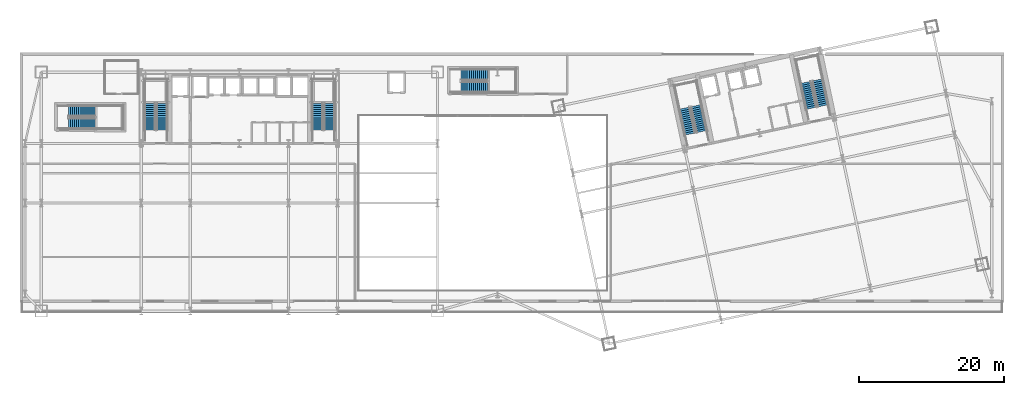
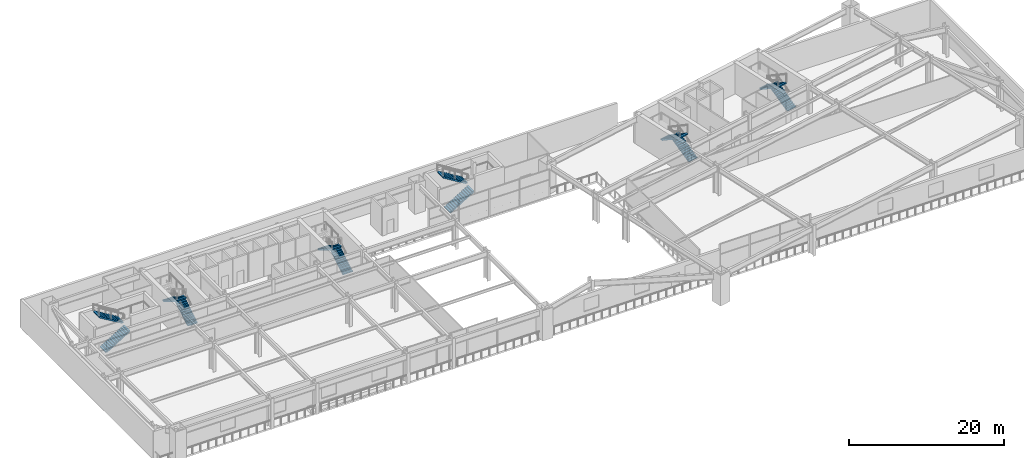
# One storey, part 23 of 35: 12 stair flights, 6 elements without a shape of their own.
"""IFC4 building model written with IfcOpenShell, lengths in metres."""

import ifcopenshell
import ifcopenshell.guid

model = None  # the IFC model being written
_history = None  # IfcOwnerHistory: only IFC2X3 demands one
_inside = {}  # id of a spatial element -> (the spatial element, [elements in it])
_under = {}  # id of a project, library or spatial element -> (it, [spatial elements below it])
_declared = {}  # id of a project -> (the project, [libraries it declares])
_typed = {}  # id of a type object -> (the type object, [elements of that type])
_made_of = {}  # id of a material, layer set ... -> (it, [elements and type objects made of it])


def new_model(schema):
    """Start an empty IFC model of exactly this schema.

    Asked for "IFC4X3", IfcOpenShell would pick the latest addendum, in which some entities
    have other attributes; the version numbers below select the first issue.
    IFC2X3 requires an IfcOwnerHistory on every rooted entity: one is made here for all.
    """
    global model, _history
    if schema == "IFC4X3":
        model = ifcopenshell.file(schema_version=(4, 3, 0, 0))
    else:
        model = ifcopenshell.file(schema=schema)
    _inside.clear()
    _under.clear()
    _declared.clear()
    _typed.clear()
    _made_of.clear()
    _history = None
    if model.schema == "IFC2X3":
        org = make("IfcOrganization", Name="unknown")
        user = make(
            "IfcPersonAndOrganization",
            ThePerson=make("IfcPerson", FamilyName="unknown"),
            TheOrganization=org,
        )
        app = make(
            "IfcApplication",
            ApplicationDeveloper=org,
            Version="unknown",
            ApplicationFullName="unknown",
            ApplicationIdentifier="unknown",
        )
        _history = make(
            "IfcOwnerHistory",
            OwningUser=user,
            OwningApplication=app,
            ChangeAction="ADDED",
            CreationDate=0,
        )
    return model


def make(cls, **values):
    """One entity of the class cls with the attributes given. An attribute that is None is left unset."""
    return model.create_entity(
        cls, **{name: value for name, value in values.items() if value is not None}
    )


def rooted(cls, **values):
    """An entity with a GlobalId (a new one), such as an element, a storey or a relation."""
    return make(cls, GlobalId=ifcopenshell.guid.new(), OwnerHistory=_history, **values)


def si_unit(unit_type, name, prefix=None):
    """IfcSIUnit, for example si_unit("LENGTHUNIT", "METRE", prefix="MILLI")."""
    return make("IfcSIUnit", UnitType=unit_type, Prefix=prefix, Name=name)


def assignment(units):
    """IfcUnitAssignment: the units of a project."""
    return None if units is None else make("IfcUnitAssignment", Units=units)


def point(xyz):
    """IfcCartesianPoint."""
    return None if xyz is None else make("IfcCartesianPoint", Coordinates=xyz)


def direction(xyz):
    """IfcDirection."""
    return None if xyz is None else make("IfcDirection", DirectionRatios=xyz)


def frame(location, z_axis=None, x_axis=None):
    """IfcAxis2Placement3D, a coordinate frame: its origin and axes. An axis left out is left unset."""
    return make(
        "IfcAxis2Placement3D",
        Location=point(location),
        Axis=direction(z_axis),
        RefDirection=direction(x_axis),
    )


def origin():
    """The frame at (0, 0, 0) with its axes left unset."""
    return frame((0.0, 0.0, 0.0))


def place(relative_to, where):
    """IfcLocalPlacement: puts the frame where relative to a parent placement (None: the world)."""
    return make(
        "IfcLocalPlacement", PlacementRelTo=relative_to, RelativePlacement=where
    )


def context(
    kind, dimensions, precision=None, world=None, true_north=None, identifier=None
):
    """IfcGeometricRepresentationContext, for example the 3D "Model" context."""
    return make(
        "IfcGeometricRepresentationContext",
        ContextIdentifier=identifier,
        ContextType=kind,
        CoordinateSpaceDimension=dimensions,
        Precision=precision,
        WorldCoordinateSystem=world,
        TrueNorth=true_north,
    )


def subcontext(parent, identifier, kind, view, scale=None):
    """IfcGeometricRepresentationSubContext, for example "Body" below "Model"."""
    return make(
        "IfcGeometricRepresentationSubContext",
        ContextIdentifier=identifier,
        ContextType=kind,
        ParentContext=parent,
        TargetScale=scale,
        TargetView=view,
    )


def project(units=None, contexts=None):
    """IfcProject with its units and contexts."""
    return rooted(
        "IfcProject",
        Name="project",
        RepresentationContexts=contexts,
        UnitsInContext=assignment(units),
    )


def spatial(cls, under=None, at=None, **own):
    """A site, building, storey or space (cls), placed at a placement, below another one or the project."""
    s = rooted(cls, ObjectPlacement=at, **own)
    if under is not None:
        _under.setdefault(under.id(), (under, []))[1].append(s)
    return s


def polyline(points):
    """IfcPolyline through the points."""
    return make("IfcPolyline", Points=[point(p) for p in points])


def outline(outer, holes=None, kind="AREA"):
    """IfcArbitraryClosedProfileDef: a profile drawn as a closed curve; with holes, ...WithVoids."""
    if holes is None:
        return make("IfcArbitraryClosedProfileDef", ProfileType=kind, OuterCurve=outer)
    return make(
        "IfcArbitraryProfileDefWithVoids",
        ProfileType=kind,
        OuterCurve=outer,
        InnerCurves=holes,
    )


def extrude(swept, where, along, depth):
    """IfcExtrudedAreaSolid: the profile swept, set in the frame where, extruded along a direction by depth."""
    return make(
        "IfcExtrudedAreaSolid",
        SweptArea=swept,
        Position=where,
        ExtrudedDirection=direction(along),
        Depth=depth,
    )


def shape(context_of_items, identifier, shape_type, items):
    """IfcShapeRepresentation: the items that make up one representation, for example the "Body"."""
    return make(
        "IfcShapeRepresentation",
        ContextOfItems=context_of_items,
        RepresentationIdentifier=identifier,
        RepresentationType=shape_type,
        Items=items,
    )


def material(Name=None, Category=None):
    """IfcMaterial."""
    return make("IfcMaterial", Name=Name, Category=Category)


def made_of(thing, what):
    """Note that an element or type object is made of a material, layer set ...; save() writes the relation."""
    if what is not None:
        _made_of.setdefault(what.id(), (what, []))[1].append(thing)
    return thing


def type_object(cls, material=None, **own):
    """A type object (cls), such as IfcWallType, which elements share."""
    return made_of(rooted(cls, **own), material)


def element(
    cls,
    number,
    at=None,
    inside=None,
    cuts=None,
    type_object=None,
    material=None,
    context=None,
    identifier="Body",
    shape_type=None,
    held_by="IfcProductDefinitionShape",
    body=None,
    shapes=None,
    **own,
):
    """One element of the class cls, such as IfcWall. Its Tag is "e" and its number.

    at: its placement. inside: the storey or other place that contains it. cuts: it is an
    opening in that element (IfcRelVoidsElement). A single representation is given by context,
    identifier, shape_type and body (its items); several are given by shapes. held_by: the class
    of the entity that holds the representations. save() writes the other relations.
    """
    e = rooted(cls, Tag="e%d" % number, ObjectPlacement=at, **own)
    if body is not None:
        shapes = [shape(context, identifier, shape_type, body)]
    if shapes is not None:
        e.Representation = make(held_by, Representations=shapes)
    if inside is not None:
        _inside.setdefault(inside.id(), (inside, []))[1].append(e)
    if cuts is not None:
        rooted(
            "IfcRelVoidsElement", RelatingBuildingElement=cuts, RelatedOpeningElement=e
        )
    if type_object is not None:
        _typed.setdefault(type_object.id(), (type_object, []))[1].append(e)
    return made_of(e, material)


def aggregate(whole, parts):
    """IfcRelAggregates: a whole, such as a stair, and the parts it consists of."""
    return rooted("IfcRelAggregates", RelatingObject=whole, RelatedObjects=parts)


def save(model, path):
    """Write the relations noted so far, then the file.

    IfcRelAggregates (storeys below a building ...), IfcRelContainedInSpatialStructure (elements
    in a storey), IfcRelDefinesByType, IfcRelAssociatesMaterial and IfcRelDeclares: one each for
    every whole, place, type object, material and project.
    """
    for whole, parts in _under.values():
        aggregate(whole, parts)
    for where, things in _inside.values():
        rooted(
            "IfcRelContainedInSpatialStructure",
            RelatedElements=things,
            RelatingStructure=where,
        )
    for kind, things in _typed.values():
        rooted("IfcRelDefinesByType", RelatedObjects=things, RelatingType=kind)
    for what, things in _made_of.values():
        rooted("IfcRelAssociatesMaterial", RelatedObjects=things, RelatingMaterial=what)
    for by, libraries in _declared.values():
        rooted("IfcRelDeclares", RelatingContext=by, RelatedDefinitions=libraries)
    model.write(path)


model = new_model("IFC4")

# Units and contexts
model_context = context("Model", 3, precision=1e-05, world=origin(), true_north=direction((0.0, 1.0)))
body_context = subcontext(model_context, "Body", "Model", "MODEL_VIEW")
ifc_project = project(units=[si_unit("LENGTHUNIT", "METRE"), si_unit("AREAUNIT", "SQUARE_METRE"), si_unit("VOLUMEUNIT", "CUBIC_METRE"), si_unit("PLANEANGLEUNIT", "RADIAN"), si_unit("MASSUNIT", "GRAM", prefix="KILO")], contexts=[model_context])

# Site, building, storey
site_placement = place(None, origin())
site = spatial("IfcSite", under=ifc_project, at=site_placement, CompositionType="ELEMENT")
building_placement = place(site_placement, origin())
building = spatial("IfcBuilding", under=site, at=building_placement, Name="Haevon Station Towers", CompositionType="ELEMENT")
storey_placement = place(building_placement, frame((0.0, 0.0, 20.39990234375)))
storey = spatial("IfcBuildingStorey", under=building, at=storey_placement, Name="L04", CompositionType="ELEMENT", Elevation=20.39990234375)

# Stair, stair flights
ifc_material = material(Name="Concrete C40/50", Category="concrete")
stair_type_1 = type_object("IfcStairType", Name="STR-DL1450", PredefinedType="USERDEFINED", material=ifc_material)
stair_1_placement = place(storey_placement, origin())
stair_1 = element("IfcStair", 1, at=stair_1_placement, inside=storey, type_object=stair_type_1, Name="L04 Escape Stair ST1", ObjectType="TWO_RETURN_STAIR", PredefinedType="USERDEFINED")
stair_flight_type_1 = type_object("IfcStairFlightType", Name="STF-ST1450", PredefinedType="STRAIGHT", material=ifc_material)
stair_flight_1_placement = place(storey_placement, frame((26.85498046875, 40.050048828125, 0.0), z_axis=(0.0, 0.0, 1.0), x_axis=(0.0, 1.0, 0.0)))
stair_flight_1 = element("IfcStairFlight", 2, at=stair_flight_1_placement, type_object=stair_flight_type_1, Name="L04 ST1 Flight 1", NumberOfRisers=14, NumberOfTreads=13, PredefinedType="STRAIGHT", RiserHeight=0.171428571, TreadLength=0.28, context=body_context, shape_type="SweptSolid", body=[
    extrude(outline(polyline([(0.0, 0.0), (0.0, 0.17138671875), (0.280029296875, 0.17138671875), (0.280029296875, 0.3427734375), (0.56005859375, 0.3427734375), (0.56005859375, 0.514404296875), (0.840087890625, 0.514404296875), (0.840087890625, 0.685791015625), (1.1201171875, 0.685791015625), (1.1201171875, 0.857177734375), (1.39990234375, 0.857177734375), (1.39990234375, 1.028564453125), (1.679931640625, 1.028564453125), (1.679931640625, 1.199951171875), (1.9599609375, 1.199951171875), (1.9599609375, 1.371337890625), (2.239990234375, 1.371337890625), (2.239990234375, 1.54296875), (2.52001953125, 1.54296875), (2.52001953125, 1.71435546875), (2.800048828125, 1.71435546875), (2.800048828125, 1.8857421875), (3.080078125, 1.8857421875), (3.080078125, 2.05712890625), (3.360107421875, 2.05712890625), (3.360107421875, 2.228515625), (3.639892578125, 2.228515625), (3.639892578125, 2.39990234375), (3.639892578125, 2.041015625), (0.30615234375, 0.0), (0.0, 0.0)])), frame((0.0, 0.72509765625, 0.0), z_axis=(0.0, -1.0, 0.0), x_axis=(1.0, 0.0, 0.0)), (0.0, 0.0, 1.0), 1.449951171875),
])
stair_flight_2_placement = place(storey_placement, frame((25.205078125, 43.68994140625, 2.400146484375), z_axis=(0.0, 0.0, 1.0), x_axis=(0.0, -1.0, 0.0)))
stair_flight_2 = element("IfcStairFlight", 3, at=stair_flight_2_placement, type_object=stair_flight_type_1, Name="L04 ST1 Flight 2", NumberOfRisers=14, NumberOfTreads=13, PredefinedType="STRAIGHT", RiserHeight=0.171428571, TreadLength=0.28, context=body_context, shape_type="SweptSolid", body=[
    extrude(outline(polyline([(0.0, 0.0), (0.0, 0.17138671875), (0.280029296875, 0.17138671875), (0.280029296875, 0.3427734375), (0.56005859375, 0.3427734375), (0.56005859375, 0.514404296875), (0.840087890625, 0.514404296875), (0.840087890625, 0.685791015625), (1.1201171875, 0.685791015625), (1.1201171875, 0.857177734375), (1.39990234375, 0.857177734375), (1.39990234375, 1.028564453125), (1.679931640625, 1.028564453125), (1.679931640625, 1.199951171875), (1.9599609375, 1.199951171875), (1.9599609375, 1.371337890625), (2.239990234375, 1.371337890625), (2.239990234375, 1.54296875), (2.52001953125, 1.54296875), (2.52001953125, 1.71435546875), (2.800048828125, 1.71435546875), (2.800048828125, 1.8857421875), (3.080078125, 1.8857421875), (3.080078125, 2.05712890625), (3.360107421875, 2.05712890625), (3.360107421875, 2.228515625), (3.639892578125, 2.228515625), (3.639892578125, 2.39990234375), (3.639892578125, 2.041015625), (0.30615234375, 0.0), (0.0, 0.0)])), frame((0.0, 0.72509765625, 0.0), z_axis=(0.0, -1.0, 0.0), x_axis=(1.0, 0.0, 0.0)), (0.0, 0.0, 1.0), 1.449951171875),
])
aggregate(stair_1, [stair_flight_1, stair_flight_2])

stair_2_placement = place(storey_placement, origin())
stair_2 = element("IfcStair", 4, at=stair_2_placement, inside=storey, type_object=stair_type_1, Name="L04 Escape Stair ST2", ObjectType="TWO_RETURN_STAIR", PredefinedType="USERDEFINED")
stair_flight_3_placement = place(storey_placement, frame((49.89501953125, 40.050048828125, 0.0), z_axis=(0.0, 0.0, 1.0), x_axis=(0.0, 1.0, 0.0)))
stair_flight_3 = element("IfcStairFlight", 5, at=stair_flight_3_placement, type_object=stair_flight_type_1, Name="L04 ST2 Flight 1", NumberOfRisers=14, NumberOfTreads=13, PredefinedType="STRAIGHT", RiserHeight=0.171428571, TreadLength=0.28, context=body_context, shape_type="SweptSolid", body=[
    extrude(outline(polyline([(0.0, 0.0), (0.0, 0.17138671875), (0.280029296875, 0.17138671875), (0.280029296875, 0.3427734375), (0.56005859375, 0.3427734375), (0.56005859375, 0.514404296875), (0.840087890625, 0.514404296875), (0.840087890625, 0.685791015625), (1.1201171875, 0.685791015625), (1.1201171875, 0.857177734375), (1.39990234375, 0.857177734375), (1.39990234375, 1.028564453125), (1.679931640625, 1.028564453125), (1.679931640625, 1.199951171875), (1.9599609375, 1.199951171875), (1.9599609375, 1.371337890625), (2.239990234375, 1.371337890625), (2.239990234375, 1.54296875), (2.52001953125, 1.54296875), (2.52001953125, 1.71435546875), (2.800048828125, 1.71435546875), (2.800048828125, 1.8857421875), (3.080078125, 1.8857421875), (3.080078125, 2.05712890625), (3.360107421875, 2.05712890625), (3.360107421875, 2.228515625), (3.639892578125, 2.228515625), (3.639892578125, 2.39990234375), (3.639892578125, 2.041015625), (0.30615234375, 0.0), (0.0, 0.0)])), frame((0.0, 0.72509765625, 0.0), z_axis=(0.0, -1.0, 0.0), x_axis=(1.0, 0.0, 0.0)), (0.0, 0.0, 1.0), 1.449951171875),
])
stair_flight_4_placement = place(storey_placement, frame((48.2451171875, 43.68994140625, 2.400146484375), z_axis=(0.0, 0.0, 1.0), x_axis=(0.0, -1.0, 0.0)))
stair_flight_4 = element("IfcStairFlight", 6, at=stair_flight_4_placement, type_object=stair_flight_type_1, Name="L04 ST2 Flight 2", NumberOfRisers=14, NumberOfTreads=13, PredefinedType="STRAIGHT", RiserHeight=0.171428571, TreadLength=0.28, context=body_context, shape_type="SweptSolid", body=[
    extrude(outline(polyline([(0.0, 0.0), (0.0, 0.17138671875), (0.280029296875, 0.17138671875), (0.280029296875, 0.3427734375), (0.56005859375, 0.3427734375), (0.56005859375, 0.514404296875), (0.840087890625, 0.514404296875), (0.840087890625, 0.685791015625), (1.1201171875, 0.685791015625), (1.1201171875, 0.857177734375), (1.39990234375, 0.857177734375), (1.39990234375, 1.028564453125), (1.679931640625, 1.028564453125), (1.679931640625, 1.199951171875), (1.9599609375, 1.199951171875), (1.9599609375, 1.371337890625), (2.239990234375, 1.371337890625), (2.239990234375, 1.54296875), (2.52001953125, 1.54296875), (2.52001953125, 1.71435546875), (2.800048828125, 1.71435546875), (2.800048828125, 1.8857421875), (3.080078125, 1.8857421875), (3.080078125, 2.05712890625), (3.360107421875, 2.05712890625), (3.360107421875, 2.228515625), (3.639892578125, 2.228515625), (3.639892578125, 2.39990234375), (3.639892578125, 2.041015625), (0.30615234375, 0.0), (0.0, 0.0)])), frame((0.0, 0.72509765625, 0.0), z_axis=(0.0, -1.0, 0.0), x_axis=(1.0, 0.0, 0.0)), (0.0, 0.0, 1.0), 1.449951171875),
])
aggregate(stair_2, [stair_flight_3, stair_flight_4])

stair_3_placement = place(storey_placement, origin())
stair_3 = element("IfcStair", 7, at=stair_3_placement, inside=storey, type_object=stair_type_1, Name="L04 Escape Stair ST3", ObjectType="TWO_RETURN_STAIR", PredefinedType="USERDEFINED")
stair_flight_5_placement = place(storey_placement, frame((101.1015625, 39.8330078125, 0.0), z_axis=(0.0, 0.0, 1.0), x_axis=(-0.207911690818, 0.978147600734, 0.0)))
stair_flight_5 = element("IfcStairFlight", 8, at=stair_flight_5_placement, type_object=stair_flight_type_1, Name="L04 ST3 Flight 1", NumberOfRisers=14, NumberOfTreads=13, PredefinedType="STRAIGHT", RiserHeight=0.171428571, TreadLength=0.28, context=body_context, shape_type="SweptSolid", body=[
    extrude(outline(polyline([(0.0, 0.0), (0.0, 0.17138671875), (0.280029296875, 0.17138671875), (0.280029296875, 0.3427734375), (0.56005859375, 0.3427734375), (0.56005859375, 0.514404296875), (0.840087890625, 0.514404296875), (0.840087890625, 0.685791015625), (1.1201171875, 0.685791015625), (1.1201171875, 0.857177734375), (1.39990234375, 0.857177734375), (1.39990234375, 1.028564453125), (1.679931640625, 1.028564453125), (1.679931640625, 1.199951171875), (1.9599609375, 1.199951171875), (1.9599609375, 1.371337890625), (2.239990234375, 1.371337890625), (2.239990234375, 1.54296875), (2.52001953125, 1.54296875), (2.52001953125, 1.71435546875), (2.800048828125, 1.71435546875), (2.800048828125, 1.8857421875), (3.080078125, 1.8857421875), (3.080078125, 2.05712890625), (3.360107421875, 2.05712890625), (3.360107421875, 2.228515625), (3.639892578125, 2.228515625), (3.639892578125, 2.39990234375), (3.639892578125, 2.041015625), (0.30615234375, 0.0), (0.0, 0.0)])), frame((0.0, 0.72509765625, 0.0), z_axis=(0.0, -1.0, 0.0), x_axis=(1.0, 0.0, 0.0)), (0.0, 0.0, 1.0), 1.449951171875),
])
stair_flight_6_placement = place(storey_placement, frame((98.73095703125, 43.050537109375, 2.400146484375), z_axis=(0.0, 0.0, 1.0), x_axis=(0.207911690818, -0.978147600734, 0.0)))
stair_flight_6 = element("IfcStairFlight", 9, at=stair_flight_6_placement, type_object=stair_flight_type_1, Name="L04 ST3 Flight 2", NumberOfRisers=14, NumberOfTreads=13, PredefinedType="STRAIGHT", RiserHeight=0.171428571, TreadLength=0.28, context=body_context, shape_type="SweptSolid", body=[
    extrude(outline(polyline([(0.0, 0.0), (0.0, 0.17138671875), (0.280029296875, 0.17138671875), (0.280029296875, 0.3427734375), (0.56005859375, 0.3427734375), (0.56005859375, 0.514404296875), (0.840087890625, 0.514404296875), (0.840087890625, 0.685791015625), (1.1201171875, 0.685791015625), (1.1201171875, 0.857177734375), (1.39990234375, 0.857177734375), (1.39990234375, 1.028564453125), (1.679931640625, 1.028564453125), (1.679931640625, 1.199951171875), (1.9599609375, 1.199951171875), (1.9599609375, 1.371337890625), (2.239990234375, 1.371337890625), (2.239990234375, 1.54296875), (2.52001953125, 1.54296875), (2.52001953125, 1.71435546875), (2.800048828125, 1.71435546875), (2.800048828125, 1.8857421875), (3.080078125, 1.8857421875), (3.080078125, 2.05712890625), (3.360107421875, 2.05712890625), (3.360107421875, 2.228515625), (3.639892578125, 2.228515625), (3.639892578125, 2.39990234375), (3.639892578125, 2.041015625), (0.30615234375, 0.0), (0.0, 0.0)])), frame((0.0, 0.72509765625, 0.0), z_axis=(0.0, -1.0, 0.0), x_axis=(1.0, 0.0, 0.0)), (0.0, 0.0, 1.0), 1.449951171875),
])
aggregate(stair_3, [stair_flight_5, stair_flight_6])

stair_4_placement = place(storey_placement, origin())
stair_4 = element("IfcStair", 10, at=stair_4_placement, inside=storey, type_object=stair_type_1, Name="L04 Escape Stair ST4", ObjectType="TWO_RETURN_STAIR", PredefinedType="USERDEFINED")
stair_flight_7_placement = place(storey_placement, frame((117.788818359375, 43.380126953125, 0.0), z_axis=(0.0, 0.0, 1.0), x_axis=(-0.207911690818, 0.978147600734, 0.0)))
stair_flight_7 = element("IfcStairFlight", 11, at=stair_flight_7_placement, type_object=stair_flight_type_1, Name="L04 ST4 Flight 1", NumberOfRisers=14, NumberOfTreads=13, PredefinedType="STRAIGHT", RiserHeight=0.171428571, TreadLength=0.28, context=body_context, shape_type="SweptSolid", body=[
    extrude(outline(polyline([(0.0, 0.0), (0.0, 0.17138671875), (0.280029296875, 0.17138671875), (0.280029296875, 0.3427734375), (0.56005859375, 0.3427734375), (0.56005859375, 0.514404296875), (0.840087890625, 0.514404296875), (0.840087890625, 0.685791015625), (1.1201171875, 0.685791015625), (1.1201171875, 0.857177734375), (1.39990234375, 0.857177734375), (1.39990234375, 1.028564453125), (1.679931640625, 1.028564453125), (1.679931640625, 1.199951171875), (1.9599609375, 1.199951171875), (1.9599609375, 1.371337890625), (2.239990234375, 1.371337890625), (2.239990234375, 1.54296875), (2.52001953125, 1.54296875), (2.52001953125, 1.71435546875), (2.800048828125, 1.71435546875), (2.800048828125, 1.8857421875), (3.080078125, 1.8857421875), (3.080078125, 2.05712890625), (3.360107421875, 2.05712890625), (3.360107421875, 2.228515625), (3.639892578125, 2.228515625), (3.639892578125, 2.39990234375), (3.639892578125, 2.041015625), (0.30615234375, 0.0), (0.0, 0.0)])), frame((0.0, 0.72509765625, 0.0), z_axis=(0.0, -1.0, 0.0), x_axis=(1.0, 0.0, 0.0)), (0.0, 0.0, 1.0), 1.449951171875),
])
stair_flight_8_placement = place(storey_placement, frame((115.418212890625, 46.597412109375, 2.400146484375), z_axis=(0.0, 0.0, 1.0), x_axis=(0.207911690818, -0.978147600734, 0.0)))
stair_flight_8 = element("IfcStairFlight", 12, at=stair_flight_8_placement, type_object=stair_flight_type_1, Name="L04 ST4 Flight 2", NumberOfRisers=14, NumberOfTreads=13, PredefinedType="STRAIGHT", RiserHeight=0.171428571, TreadLength=0.28, context=body_context, shape_type="SweptSolid", body=[
    extrude(outline(polyline([(0.0, 0.0), (0.0, 0.17138671875), (0.280029296875, 0.17138671875), (0.280029296875, 0.3427734375), (0.56005859375, 0.3427734375), (0.56005859375, 0.514404296875), (0.840087890625, 0.514404296875), (0.840087890625, 0.685791015625), (1.1201171875, 0.685791015625), (1.1201171875, 0.857177734375), (1.39990234375, 0.857177734375), (1.39990234375, 1.028564453125), (1.679931640625, 1.028564453125), (1.679931640625, 1.199951171875), (1.9599609375, 1.199951171875), (1.9599609375, 1.371337890625), (2.239990234375, 1.371337890625), (2.239990234375, 1.54296875), (2.52001953125, 1.54296875), (2.52001953125, 1.71435546875), (2.800048828125, 1.71435546875), (2.800048828125, 1.8857421875), (3.080078125, 1.8857421875), (3.080078125, 2.05712890625), (3.360107421875, 2.05712890625), (3.360107421875, 2.228515625), (3.639892578125, 2.228515625), (3.639892578125, 2.39990234375), (3.639892578125, 2.041015625), (0.30615234375, 0.0), (0.0, 0.0)])), frame((0.0, 0.72509765625, 0.0), z_axis=(0.0, -1.0, 0.0), x_axis=(1.0, 0.0, 0.0)), (0.0, 0.0, 1.0), 1.449951171875),
])
aggregate(stair_4, [stair_flight_7, stair_flight_8])

stair_type_2 = type_object("IfcStairType", Name="STR-DL1500", PredefinedType="USERDEFINED", material=ifc_material)
stair_5_placement = place(storey_placement, origin())
stair_5 = element("IfcStair", 13, at=stair_5_placement, inside=storey, type_object=stair_type_2, Name="L04 Escape Stair ST5", ObjectType="TWO_RETURN_STAIR", PredefinedType="USERDEFINED")
stair_flight_type_2 = type_object("IfcStairFlightType", Name="STF-ST1500", PredefinedType="STRAIGHT", material=ifc_material)
stair_flight_9_placement = place(storey_placement, frame((14.0, 40.949951171875, 0.0), z_axis=(0.0, 0.0, 1.0), x_axis=(1.0, 0.0, 0.0)))
stair_flight_9 = element("IfcStairFlight", 14, at=stair_flight_9_placement, type_object=stair_flight_type_2, Name="L04 ST5 Flight 1", NumberOfRisers=14, NumberOfTreads=13, PredefinedType="STRAIGHT", RiserHeight=0.171428571, TreadLength=0.28, context=body_context, shape_type="SweptSolid", body=[
    extrude(outline(polyline([(0.0, 0.0), (0.0, 0.17138671875), (0.280029296875, 0.17138671875), (0.280029296875, 0.3427734375), (0.56005859375, 0.3427734375), (0.56005859375, 0.514404296875), (0.840087890625, 0.514404296875), (0.840087890625, 0.685791015625), (1.1201171875, 0.685791015625), (1.1201171875, 0.857177734375), (1.39990234375, 0.857177734375), (1.39990234375, 1.028564453125), (1.679931640625, 1.028564453125), (1.679931640625, 1.199951171875), (1.9599609375, 1.199951171875), (1.9599609375, 1.371337890625), (2.239990234375, 1.371337890625), (2.239990234375, 1.54296875), (2.52001953125, 1.54296875), (2.52001953125, 1.71435546875), (2.800048828125, 1.71435546875), (2.800048828125, 1.8857421875), (3.080078125, 1.8857421875), (3.080078125, 2.05712890625), (3.360107421875, 2.05712890625), (3.360107421875, 2.228515625), (3.639892578125, 2.228515625), (3.639892578125, 2.39990234375), (3.639892578125, 2.041015625), (0.30615234375, 0.0), (0.0, 0.0)])), frame((0.0, 0.75, 0.0), z_axis=(0.0, -1.0, 0.0), x_axis=(1.0, 0.0, 0.0)), (0.0, 0.0, 1.0), 1.5),
])
stair_flight_10_placement = place(storey_placement, frame((17.639892578125, 42.64990234375, 2.400146484375), z_axis=(0.0, 0.0, 1.0), x_axis=(-1.0, 0.0, 0.0)))
stair_flight_10 = element("IfcStairFlight", 15, at=stair_flight_10_placement, type_object=stair_flight_type_2, Name="L04 ST5 Flight 2", NumberOfRisers=14, NumberOfTreads=13, PredefinedType="STRAIGHT", RiserHeight=0.171428571, TreadLength=0.28, context=body_context, shape_type="SweptSolid", body=[
    extrude(outline(polyline([(0.0, 0.0), (0.0, 0.17138671875), (0.280029296875, 0.17138671875), (0.280029296875, 0.3427734375), (0.56005859375, 0.3427734375), (0.56005859375, 0.514404296875), (0.840087890625, 0.514404296875), (0.840087890625, 0.685791015625), (1.1201171875, 0.685791015625), (1.1201171875, 0.857177734375), (1.39990234375, 0.857177734375), (1.39990234375, 1.028564453125), (1.679931640625, 1.028564453125), (1.679931640625, 1.199951171875), (1.9599609375, 1.199951171875), (1.9599609375, 1.371337890625), (2.239990234375, 1.371337890625), (2.239990234375, 1.54296875), (2.52001953125, 1.54296875), (2.52001953125, 1.71435546875), (2.800048828125, 1.71435546875), (2.800048828125, 1.8857421875), (3.080078125, 1.8857421875), (3.080078125, 2.05712890625), (3.360107421875, 2.05712890625), (3.360107421875, 2.228515625), (3.639892578125, 2.228515625), (3.639892578125, 2.39990234375), (3.639892578125, 2.041015625), (0.30615234375, 0.0), (0.0, 0.0)])), frame((0.0, 0.75, 0.0), z_axis=(0.0, -1.0, 0.0), x_axis=(1.0, 0.0, 0.0)), (0.0, 0.0, 1.0), 1.5),
])
aggregate(stair_5, [stair_flight_9, stair_flight_10])

stair_6_placement = place(storey_placement, origin())
stair_6 = element("IfcStair", 16, at=stair_6_placement, inside=storey, type_object=stair_type_2, Name="L04 Escape Stair ST6", ObjectType="TWO_RETURN_STAIR", PredefinedType="USERDEFINED")
stair_flight_11_placement = place(storey_placement, frame((68.0, 45.949951171875, 0.0), z_axis=(0.0, 0.0, 1.0), x_axis=(1.0, 0.0, 0.0)))
stair_flight_11 = element("IfcStairFlight", 17, at=stair_flight_11_placement, type_object=stair_flight_type_2, Name="L04 ST6 Flight 1", NumberOfRisers=14, NumberOfTreads=13, PredefinedType="STRAIGHT", RiserHeight=0.171428571, TreadLength=0.28, context=body_context, shape_type="SweptSolid", body=[
    extrude(outline(polyline([(0.0, 0.0), (0.0, 0.17138671875), (0.280029296875, 0.17138671875), (0.280029296875, 0.3427734375), (0.56005859375, 0.3427734375), (0.56005859375, 0.514404296875), (0.840087890625, 0.514404296875), (0.840087890625, 0.685791015625), (1.1201171875, 0.685791015625), (1.1201171875, 0.857177734375), (1.39990234375, 0.857177734375), (1.39990234375, 1.028564453125), (1.679931640625, 1.028564453125), (1.679931640625, 1.199951171875), (1.9599609375, 1.199951171875), (1.9599609375, 1.371337890625), (2.239990234375, 1.371337890625), (2.239990234375, 1.54296875), (2.52001953125, 1.54296875), (2.52001953125, 1.71435546875), (2.800048828125, 1.71435546875), (2.800048828125, 1.8857421875), (3.080078125, 1.8857421875), (3.080078125, 2.05712890625), (3.360107421875, 2.05712890625), (3.360107421875, 2.228515625), (3.639892578125, 2.228515625), (3.639892578125, 2.39990234375), (3.639892578125, 2.041015625), (0.30615234375, 0.0), (0.0, 0.0)])), frame((0.0, 0.75, 0.0), z_axis=(0.0, -1.0, 0.0), x_axis=(1.0, 0.0, 0.0)), (0.0, 0.0, 1.0), 1.5),
])
stair_flight_12_placement = place(storey_placement, frame((71.639892578125, 47.64990234375, 2.400146484375), z_axis=(0.0, 0.0, 1.0), x_axis=(-1.0, 0.0, 0.0)))
stair_flight_12 = element("IfcStairFlight", 18, at=stair_flight_12_placement, type_object=stair_flight_type_2, Name="L04 ST6 Flight 2", NumberOfRisers=14, NumberOfTreads=13, PredefinedType="STRAIGHT", RiserHeight=0.171428571, TreadLength=0.28, context=body_context, shape_type="SweptSolid", body=[
    extrude(outline(polyline([(0.0, 0.0), (0.0, 0.17138671875), (0.280029296875, 0.17138671875), (0.280029296875, 0.3427734375), (0.56005859375, 0.3427734375), (0.56005859375, 0.514404296875), (0.840087890625, 0.514404296875), (0.840087890625, 0.685791015625), (1.1201171875, 0.685791015625), (1.1201171875, 0.857177734375), (1.39990234375, 0.857177734375), (1.39990234375, 1.028564453125), (1.679931640625, 1.028564453125), (1.679931640625, 1.199951171875), (1.9599609375, 1.199951171875), (1.9599609375, 1.371337890625), (2.239990234375, 1.371337890625), (2.239990234375, 1.54296875), (2.52001953125, 1.54296875), (2.52001953125, 1.71435546875), (2.800048828125, 1.71435546875), (2.800048828125, 1.8857421875), (3.080078125, 1.8857421875), (3.080078125, 2.05712890625), (3.360107421875, 2.05712890625), (3.360107421875, 2.228515625), (3.639892578125, 2.228515625), (3.639892578125, 2.39990234375), (3.639892578125, 2.041015625), (0.30615234375, 0.0), (0.0, 0.0)])), frame((0.0, 0.75, 0.0), z_axis=(0.0, -1.0, 0.0), x_axis=(1.0, 0.0, 0.0)), (0.0, 0.0, 1.0), 1.5),
])
aggregate(stair_6, [stair_flight_11, stair_flight_12])

save(model, "model.ifc")
